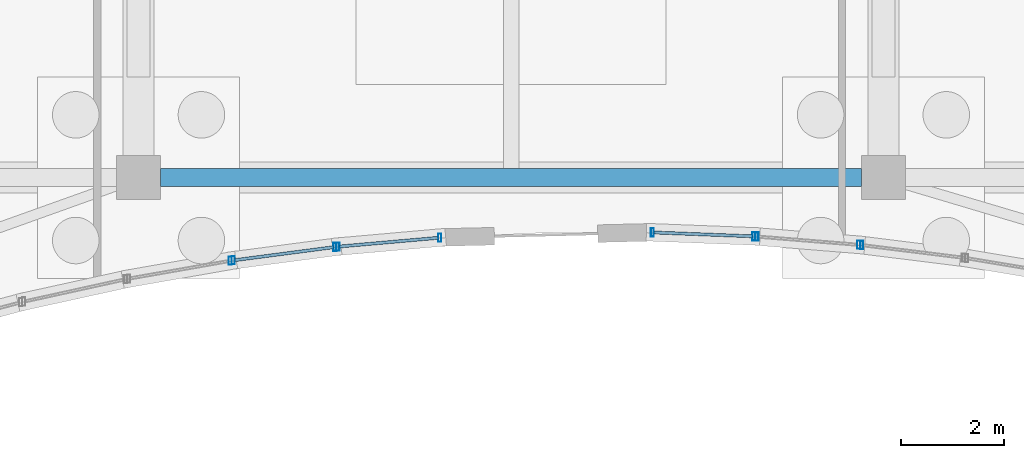
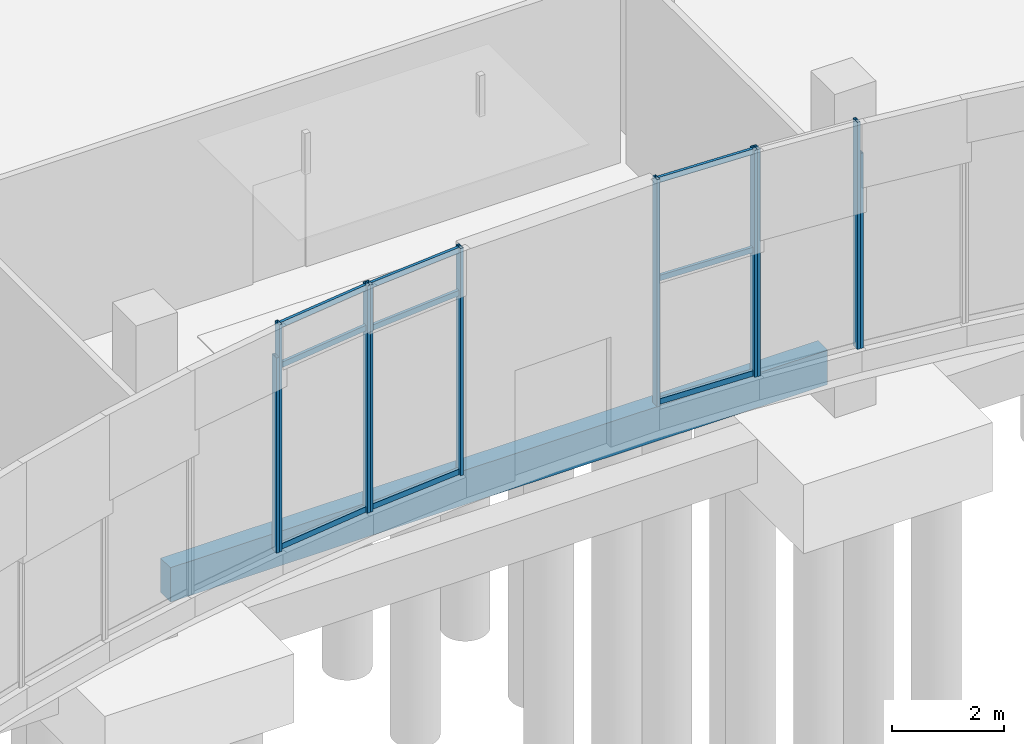
# One storey, part 24 of 192: 19 members, 1 beam, 6 elements without a shape of their own.
"""IFC4 building model written with IfcOpenShell, lengths in metres."""

from ifc_helpers import new_model, si_unit, direction, frame, origin, origin_2d, place, context, subcontext, project, spatial, rectangle, hollow_rectangle, extrude, material, material_profile, profile_set, type_object, element, aggregate, save


model = new_model("IFC4")

# Units and contexts
model_context = context("Model", 3, precision=1e-05, world=origin(), true_north=direction((0.0, 1.0)))
body_context = subcontext(model_context, "Body", "Model", "MODEL_VIEW")
ifc_project = project(units=[si_unit("LENGTHUNIT", "METRE"), si_unit("AREAUNIT", "SQUARE_METRE"), si_unit("VOLUMEUNIT", "CUBIC_METRE"), si_unit("PLANEANGLEUNIT", "RADIAN"), si_unit("MASSUNIT", "GRAM", prefix="KILO")], contexts=[model_context])

# Site, building, storey
site_placement = place(None, origin())
site = spatial("IfcSite", under=ifc_project, at=site_placement, CompositionType="ELEMENT")
building_placement = place(site_placement, origin())
building = spatial("IfcBuilding", under=site, at=building_placement, Name="Cendralis Lancet Convention Centre", CompositionType="ELEMENT")
storey_placement = place(building_placement, origin())
storey = spatial("IfcBuildingStorey", under=building, at=storey_placement, Name="L00", CompositionType="ELEMENT", Elevation=0.0)

# Curtain wall, member
ifc_material_1 = material(Name="Anodised bronze architectural aluminium", Category="aluminium")
curtain_wall_type = type_object("IfcCurtainWallType", Name="ARC-CW-WF01", PredefinedType="USERDEFINED", material=ifc_material_1)
curtain_wall_1_placement = place(storey_placement, origin())
curtain_wall_1 = element("IfcCurtainWall", 1, at=curtain_wall_1_placement, inside=storey, type_object=curtain_wall_type, Name="L00 Curtain Wall CW-WF1 #008", ObjectType="CURTAIN WALL", PredefinedType="USERDEFINED")
ifc_material_profile_1 = material_profile(ifc_material_1, hollow_rectangle(XDim=0.06005859375, YDim=0.159912109375, WallThickness=0.00390625, at=origin_2d()), Name="AL-MULL 60x160x4.0")
ifc_profile_set_1 = profile_set([ifc_material_profile_1], Name="Anodised bronze architectural aluminium")
member_type_1 = type_object("IfcMemberType", Name="ARC-CW-ML01", PredefinedType="MULLION", material=ifc_profile_set_1)
member_1_placement = place(storey_placement, frame((16.172607421875, 5.5927734375, 0.449951171875), z_axis=(0.0, 0.0, 1.0), x_axis=(1.0, 0.0, 0.0)))
member_1 = element("IfcMember", 2, at=member_1_placement, type_object=member_type_1, Name="Mullion CW2-CW-WF1-L00-008-M1", PredefinedType="MULLION", context=body_context, shape_type="SweptSolid", body=[
    extrude(hollow_rectangle(XDim=0.06005859375, YDim=0.159912109375, WallThickness=0.00390625, at=origin_2d()), origin(), (0.0, 0.0, 1.0), 4.255126953125),
])
aggregate(curtain_wall_1, [member_1])

# Curtain wall, members
curtain_wall_2_placement = place(storey_placement, origin())
curtain_wall_2 = element("IfcCurtainWall", 3, at=curtain_wall_2_placement, inside=storey, type_object=curtain_wall_type, Name="L00 Curtain Wall CW-WF1 #009", ObjectType="CURTAIN WALL", PredefinedType="USERDEFINED")
member_2_placement = place(storey_placement, frame((16.231689453125, 5.601806640625, 0.449951171875), z_axis=(0.0, 0.0, 1.0), x_axis=(1.0, 0.0, 0.0)))
member_2 = element("IfcMember", 4, at=member_2_placement, type_object=member_type_1, Name="Mullion CW2-CW-WF1-L00-009-M0", PredefinedType="MULLION", context=body_context, shape_type="SweptSolid", body=[
    extrude(hollow_rectangle(XDim=0.06005859375, YDim=0.159912109375, WallThickness=0.00390625, at=origin_2d()), origin(), (0.0, 0.0, 1.0), 4.949951171875),
])
member_3_placement = place(storey_placement, frame((18.197265625, 5.860107421875, 0.449951171875), z_axis=(0.0, 0.0, 1.0), x_axis=(1.0, 0.0, 0.0)))
member_3 = element("IfcMember", 5, at=member_3_placement, type_object=member_type_1, Name="Mullion CW2-CW-WF1-L00-009-M1", PredefinedType="MULLION", context=body_context, shape_type="SweptSolid", body=[
    extrude(hollow_rectangle(XDim=0.06005859375, YDim=0.159912109375, WallThickness=0.00390625, at=origin_2d()), origin(), (0.0, 0.0, 1.0), 4.949951171875),
])

curtain_wall_3_placement = place(storey_placement, origin())
curtain_wall_3 = element("IfcCurtainWall", 6, at=curtain_wall_3_placement, inside=storey, type_object=curtain_wall_type, Name="L00 Curtain Wall CW-WF1 #010", ObjectType="CURTAIN WALL", PredefinedType="USERDEFINED")
member_4_placement = place(storey_placement, frame((18.2568359375, 5.86669921875, 0.449951171875), z_axis=(0.0, 0.0, 1.0), x_axis=(1.0, 0.0, 0.0)))
member_4 = element("IfcMember", 7, at=member_4_placement, type_object=member_type_1, Name="Mullion CW2-CW-WF1-L00-010-M0", PredefinedType="MULLION", context=body_context, shape_type="SweptSolid", body=[
    extrude(hollow_rectangle(XDim=0.06005859375, YDim=0.159912109375, WallThickness=0.00390625, at=origin_2d()), origin(), (0.0, 0.0, 1.0), 4.949951171875),
])
member_5_placement = place(storey_placement, frame((20.22216796875, 6.040283203125, 0.449951171875), z_axis=(0.0, 0.0, 1.0), x_axis=(1.0, 0.0, 0.0)))
member_5 = element("IfcMember", 8, at=member_5_placement, type_object=member_type_1, Name="Mullion CW2-CW-WF1-L00-010-M1", PredefinedType="MULLION", context=body_context, shape_type="SweptSolid", body=[
    extrude(hollow_rectangle(XDim=0.06005859375, YDim=0.159912109375, WallThickness=0.00390625, at=origin_2d()), origin(), (0.0, 0.0, 1.0), 4.949951171875),
])

curtain_wall_4_placement = place(storey_placement, origin())
curtain_wall_4 = element("IfcCurtainWall", 9, at=curtain_wall_4_placement, inside=storey, type_object=curtain_wall_type, Name="L00 Curtain Wall CW-WF1 #011", ObjectType="CURTAIN WALL", PredefinedType="USERDEFINED")
member_6_placement = place(storey_placement, frame((24.3330078125, 6.141845703125, 0.449951171875), z_axis=(0.0, 0.0, 1.0), x_axis=(1.0, 0.0, 0.0)))
member_6 = element("IfcMember", 10, at=member_6_placement, type_object=member_type_1, Name="Mullion CW2-CW-WF1-L00-011-M0", PredefinedType="MULLION", context=body_context, shape_type="SweptSolid", body=[
    extrude(hollow_rectangle(XDim=0.06005859375, YDim=0.159912109375, WallThickness=0.00390625, at=origin_2d()), origin(), (0.0, 0.0, 1.0), 4.949951171875),
])
member_7_placement = place(storey_placement, frame((26.298095703125, 6.065185546875, 0.449951171875), z_axis=(0.0, 0.0, 1.0), x_axis=(1.0, 0.0, 0.0)))
member_7 = element("IfcMember", 11, at=member_7_placement, type_object=member_type_1, Name="Mullion CW2-CW-WF1-L00-011-M1", PredefinedType="MULLION", context=body_context, shape_type="SweptSolid", body=[
    extrude(hollow_rectangle(XDim=0.06005859375, YDim=0.159912109375, WallThickness=0.00390625, at=origin_2d()), origin(), (0.0, 0.0, 1.0), 4.949951171875),
])

curtain_wall_5_placement = place(storey_placement, origin())
curtain_wall_5 = element("IfcCurtainWall", 12, at=curtain_wall_5_placement, inside=storey, type_object=curtain_wall_type, Name="L00 Curtain Wall CW-WF1 #012", ObjectType="CURTAIN WALL", PredefinedType="USERDEFINED")
member_8_placement = place(storey_placement, frame((26.35791015625, 6.0615234375, 0.449951171875), z_axis=(0.0, 0.0, 1.0), x_axis=(1.0, 0.0, 0.0)))
member_8 = element("IfcMember", 13, at=member_8_placement, type_object=member_type_1, Name="Mullion CW2-CW-WF1-L00-012-M0", PredefinedType="MULLION", context=body_context, shape_type="SweptSolid", body=[
    extrude(hollow_rectangle(XDim=0.06005859375, YDim=0.159912109375, WallThickness=0.00390625, at=origin_2d()), origin(), (0.0, 0.0, 1.0), 4.949951171875),
])
member_9_placement = place(storey_placement, frame((28.322998046875, 5.90234375, 0.449951171875), z_axis=(0.0, 0.0, 1.0), x_axis=(1.0, 0.0, 0.0)))
member_9 = element("IfcMember", 14, at=member_9_placement, type_object=member_type_1, Name="Mullion CW2-CW-WF1-L00-012-M1", PredefinedType="MULLION", context=body_context, shape_type="SweptSolid", body=[
    extrude(hollow_rectangle(XDim=0.06005859375, YDim=0.159912109375, WallThickness=0.00390625, at=origin_2d()), origin(), (0.0, 0.0, 1.0), 4.949951171875),
])
aggregate(curtain_wall_5, [member_8, member_9])

# Curtain wall, member
curtain_wall_6_placement = place(storey_placement, origin())
curtain_wall_6 = element("IfcCurtainWall", 15, at=curtain_wall_6_placement, inside=storey, type_object=curtain_wall_type, Name="L00 Curtain Wall CW-WF1 #013", ObjectType="CURTAIN WALL", PredefinedType="USERDEFINED")
member_10_placement = place(storey_placement, frame((28.3828125, 5.896240234375, 0.449951171875), z_axis=(0.0, 0.0, 1.0), x_axis=(1.0, 0.0, 0.0)))
member_10 = element("IfcMember", 16, at=member_10_placement, type_object=member_type_1, Name="Mullion CW2-CW-WF1-L00-013-M0", PredefinedType="MULLION", context=body_context, shape_type="SweptSolid", body=[
    extrude(hollow_rectangle(XDim=0.06005859375, YDim=0.159912109375, WallThickness=0.00390625, at=origin_2d()), origin(), (0.0, 0.0, 1.0), 4.255126953125),
])
aggregate(curtain_wall_6, [member_10])

# Member
ifc_material_profile_2 = material_profile(ifc_material_1, hollow_rectangle(XDim=0.06005859375, YDim=0.1201171875, WallThickness=0.00390625, at=origin_2d()), Name="AL-TRAN 60x120x4.0")
ifc_profile_set_2 = profile_set([ifc_material_profile_2], Name="Anodised bronze architectural aluminium")
member_type_2 = type_object("IfcMemberType", Name="ARC-CW-TR01", PredefinedType="USERDEFINED", material=ifc_profile_set_2)
member_11_placement = place(storey_placement, frame((16.261474609375, 5.605712890625, 0.510009765625), z_axis=(0.991474599766, 0.130300107514, 0.0), x_axis=(-0.130300107514, 0.991474599766, 0.0)))
member_11 = element("IfcMember", 17, at=member_11_placement, type_object=member_type_2, Name="Transom CW2-CW-WF1-L00-009-T0BOT", ObjectType="TRANSOM", PredefinedType="USERDEFINED", context=body_context, shape_type="SweptSolid", body=[
    extrude(hollow_rectangle(XDim=0.06005859375, YDim=0.1201171875, WallThickness=0.00390625, at=origin_2d()), origin(), (0.0, 0.0, 1.0), 1.92236328125),
])

member_12_placement = place(storey_placement, frame((16.261474609375, 5.605712890625, 4.462890625), z_axis=(0.991474599766, 0.130300107514, 0.0), x_axis=(-0.130300107514, 0.991474599766, 0.0)))
member_12 = element("IfcMember", 18, at=member_12_placement, type_object=member_type_2, Name="Transom CW2-CW-WF1-L00-009-T0MID", ObjectType="TRANSOM", PredefinedType="USERDEFINED", context=body_context, shape_type="SweptSolid", body=[
    extrude(hollow_rectangle(XDim=0.06005859375, YDim=0.1201171875, WallThickness=0.00390625, at=origin_2d()), origin(), (0.0, 0.0, 1.0), 1.92236328125),
])

member_13_placement = place(storey_placement, frame((16.261474609375, 5.605712890625, 5.340087890625), z_axis=(0.991474599766, 0.130300107514, 0.0), x_axis=(-0.130300107514, 0.991474599766, 0.0)))
member_13 = element("IfcMember", 19, at=member_13_placement, type_object=member_type_2, Name="Transom CW2-CW-WF1-L00-009-T0TOP", ObjectType="TRANSOM", PredefinedType="USERDEFINED", context=body_context, shape_type="SweptSolid", body=[
    extrude(hollow_rectangle(XDim=0.06005859375, YDim=0.1201171875, WallThickness=0.00390625, at=origin_2d()), origin(), (0.0, 0.0, 1.0), 1.92236328125),
])

aggregate(curtain_wall_2, [member_2, member_3, member_11, member_12, member_13])

member_14_placement = place(storey_placement, frame((18.286865234375, 5.869384765625, 0.510009765625), z_axis=(0.996125246942, 0.087945962986, 0.0), x_axis=(-0.087945962986, 0.996125246942, 0.0)))
member_14 = element("IfcMember", 20, at=member_14_placement, type_object=member_type_2, Name="Transom CW2-CW-WF1-L00-010-T0BOT", ObjectType="TRANSOM", PredefinedType="USERDEFINED", context=body_context, shape_type="SweptSolid", body=[
    extrude(hollow_rectangle(XDim=0.06005859375, YDim=0.1201171875, WallThickness=0.00390625, at=origin_2d()), origin(), (0.0, 0.0, 1.0), 1.91259765625),
])

member_15_placement = place(storey_placement, frame((18.286865234375, 5.869384765625, 4.406982421875), z_axis=(0.996125246942, 0.087945962986, 0.0), x_axis=(-0.087945962986, 0.996125246942, 0.0)))
member_15 = element("IfcMember", 21, at=member_15_placement, type_object=member_type_2, Name="Transom CW2-CW-WF1-L00-010-T0MID", ObjectType="TRANSOM", PredefinedType="USERDEFINED", context=body_context, shape_type="SweptSolid", body=[
    extrude(hollow_rectangle(XDim=0.06005859375, YDim=0.1201171875, WallThickness=0.00390625, at=origin_2d()), origin(), (0.0, 0.0, 1.0), 1.91259765625),
])

member_16_placement = place(storey_placement, frame((18.286865234375, 5.869384765625, 5.340087890625), z_axis=(0.996125246942, 0.087945962986, 0.0), x_axis=(-0.087945962986, 0.996125246942, 0.0)))
member_16 = element("IfcMember", 22, at=member_16_placement, type_object=member_type_2, Name="Transom CW2-CW-WF1-L00-010-T0TOP", ObjectType="TRANSOM", PredefinedType="USERDEFINED", context=body_context, shape_type="SweptSolid", body=[
    extrude(hollow_rectangle(XDim=0.06005859375, YDim=0.1201171875, WallThickness=0.00390625, at=origin_2d()), origin(), (0.0, 0.0, 1.0), 1.91259765625),
])

aggregate(curtain_wall_3, [member_4, member_5, member_14, member_15, member_16])

member_17_placement = place(storey_placement, frame((24.363037109375, 6.140625, 0.510009765625), z_axis=(0.999241946405, -0.038929841306, 0.0), x_axis=(0.038929841306, 0.999241946405, 0.0)))
member_17 = element("IfcMember", 23, at=member_17_placement, type_object=member_type_2, Name="Transom CW2-CW-WF1-L00-011-T0BOT", ObjectType="TRANSOM", PredefinedType="USERDEFINED", context=body_context, shape_type="SweptSolid", body=[
    extrude(hollow_rectangle(XDim=0.06005859375, YDim=0.1201171875, WallThickness=0.00390625, at=origin_2d()), origin(), (0.0, 0.0, 1.0), 1.906494140625),
])

member_18_placement = place(storey_placement, frame((24.363037109375, 6.140625, 3.199951171875), z_axis=(0.999241946405, -0.038929841306, 0.0), x_axis=(0.038929841306, 0.999241946405, 0.0)))
member_18 = element("IfcMember", 24, at=member_18_placement, type_object=member_type_2, Name="Transom CW2-CW-WF1-L00-011-T0MID", ObjectType="TRANSOM", PredefinedType="USERDEFINED", context=body_context, shape_type="SweptSolid", body=[
    extrude(hollow_rectangle(XDim=0.06005859375, YDim=0.1201171875, WallThickness=0.00390625, at=origin_2d()), origin(), (0.0, 0.0, 1.0), 1.906494140625),
])

member_19_placement = place(storey_placement, frame((24.363037109375, 6.140625, 5.340087890625), z_axis=(0.999241946405, -0.038929841306, 0.0), x_axis=(0.038929841306, 0.999241946405, 0.0)))
member_19 = element("IfcMember", 25, at=member_19_placement, type_object=member_type_2, Name="Transom CW2-CW-WF1-L00-011-T0TOP", ObjectType="TRANSOM", PredefinedType="USERDEFINED", context=body_context, shape_type="SweptSolid", body=[
    extrude(hollow_rectangle(XDim=0.06005859375, YDim=0.1201171875, WallThickness=0.00390625, at=origin_2d()), origin(), (0.0, 0.0, 1.0), 1.906494140625),
])

aggregate(curtain_wall_4, [member_6, member_7, member_17, member_18, member_19])

# Beam
ifc_material_2 = material(Name="Concrete G40 (C40/50)", Category="concrete")
ifc_material_profile_3 = material_profile(ifc_material_2, rectangle(XDim=0.35009765625, YDim=0.75, at=origin_2d()), Name="RCB 350x750")
ifc_profile_set_3 = profile_set([ifc_material_profile_3], Name="Concrete G40 (C40/50)")
beam_type = type_object("IfcBeamType", Name="STR-SP-SP01", PredefinedType="SPANDREL", material=ifc_profile_set_3)
beam_placement = place(storey_placement, frame((14.824951171875, 7.199951171875, -0.695068359375), z_axis=(1.0, 0.0, 0.0), x_axis=(0.0, 1.0, 0.0)))
element("IfcBeam", 26, at=beam_placement, inside=storey, type_object=beam_type, Name="L00 Beam SP01 #0657", PredefinedType="SPANDREL", context=body_context, shape_type="SweptSolid", body=[
    extrude(rectangle(XDim=0.35009765625, YDim=0.75, at=origin_2d()), origin(), (0.0, 0.0, 1.0), 13.550048828125),
])

save(model, "model.ifc")
